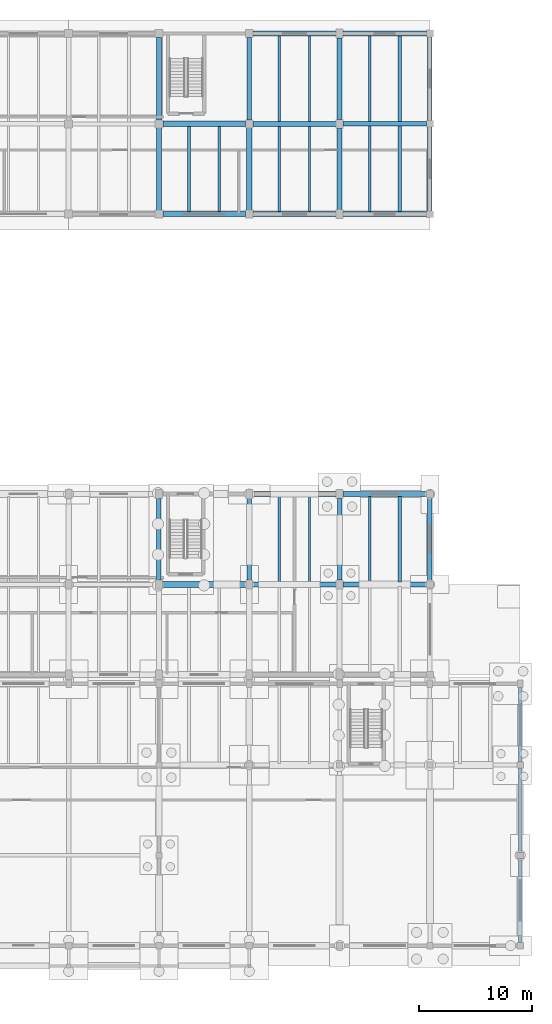
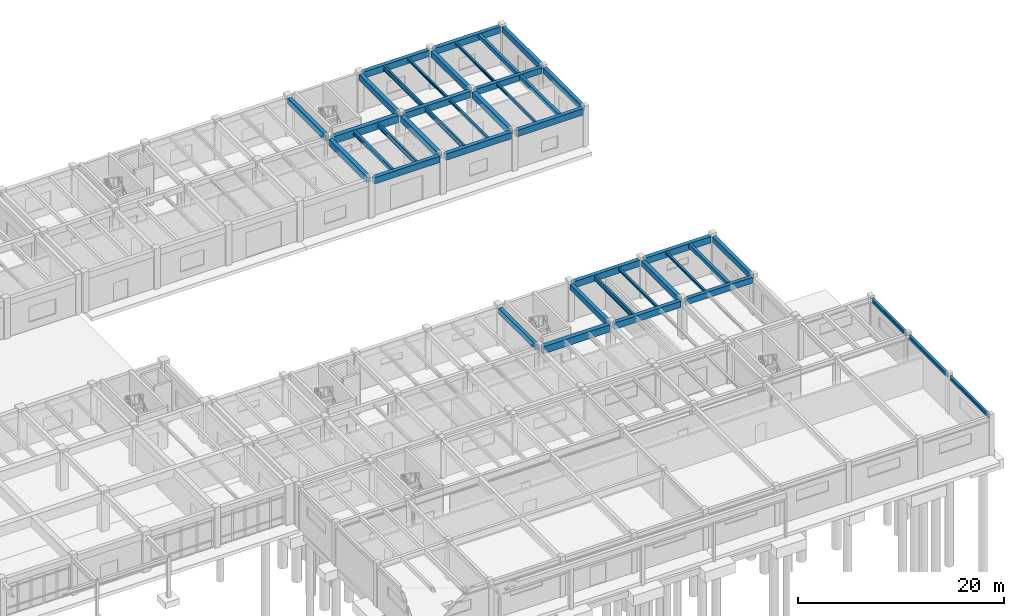
# One storey, part 26 of 64: 42 beams.
"""IFC4 building model written with IfcOpenShell, lengths in metres."""

from ifc_helpers import new_model, si_unit, direction, frame, origin, origin_2d, place, context, subcontext, project, spatial, rectangle, i_section, extrude, material, material_profile, profile_set, type_object, element, save


model = new_model("IFC4")

# Units and contexts
model_context = context("Model", 3, precision=1e-05, world=origin(), true_north=direction((0.0, 1.0)))
body_context = subcontext(model_context, "Body", "Model", "MODEL_VIEW")
ifc_project = project(units=[si_unit("LENGTHUNIT", "METRE"), si_unit("AREAUNIT", "SQUARE_METRE"), si_unit("VOLUMEUNIT", "CUBIC_METRE"), si_unit("PLANEANGLEUNIT", "RADIAN"), si_unit("MASSUNIT", "GRAM", prefix="KILO")], contexts=[model_context])

# Site, building, storey
site_placement = place(None, origin())
site = spatial("IfcSite", under=ifc_project, at=site_placement, CompositionType="ELEMENT")
building_placement = place(site_placement, origin())
building = spatial("IfcBuilding", under=site, at=building_placement, Name="Tlaxcora Railside Police Headquarters", CompositionType="ELEMENT")
storey_placement = place(building_placement, origin())
storey = spatial("IfcBuildingStorey", under=building, at=storey_placement, Name="L00", CompositionType="ELEMENT", Elevation=0.0)

# Beams
ifc_material_1 = material(Name="Steel ASTM A992 Grade 50", Category="steel")
ifc_material_profile_1 = material_profile(ifc_material_1, i_section(OverallWidth=0.280029296875, OverallDepth=0.4619140625, WebThickness=0.0107421875, FlangeThickness=0.017333984375, at=origin_2d()), Name="W18X76")
ifc_profile_set_1 = profile_set([ifc_material_profile_1], Name="Steel ASTM A992 Grade 50")
beam_type_1 = type_object("IfcBeamType", Name="Perimeter Spandrel Beam BM-33", PredefinedType="SPANDREL", material=ifc_profile_set_1)
for number, where, z_axis, x_axis, name in (
    (1, (166.800048828125, 12.264892578125, 4.299072265625), (0.0, 1.0, 0.0), (-1.0, 0.0, 0.0), "V3 L00 Y-girder X=166.8"),
    (2, (166.800048828125, 20.264892578125, 4.299072265625), (0.0, 1.0, 0.0), (-1.0, 0.0, 0.0), "V3 L00 Y-girder X=166.8"),
):
    element("IfcBeam", number, at=place(storey_placement, frame(where, z_axis=z_axis, x_axis=x_axis)), inside=storey, type_object=beam_type_1, Name=name, PredefinedType="SPANDREL", context=body_context, shape_type="SweptSolid", body=[
        extrude(i_section(OverallWidth=0.280029296875, OverallDepth=0.4619140625, WebThickness=0.0107421875, FlangeThickness=0.017333984375, at=origin_2d()), origin(), (0.0, 0.0, 1.0), 7.47021484375),
    ])
beam_1_placement = place(storey_placement, frame((166.800048828125, 28.264892578125, 4.299072265625), z_axis=(0.0, 1.0, 0.0), x_axis=(-1.0, 0.0, 0.0)))
element("IfcBeam", 3, at=beam_1_placement, inside=storey, type_object=beam_type_1, Name="V3 L00 Y-girder X=166.8", PredefinedType="SPANDREL", context=body_context, shape_type="SweptSolid", body=[
    extrude(i_section(OverallWidth=0.280029296875, OverallDepth=0.4619140625, WebThickness=0.0107421875, FlangeThickness=0.017333984375, at=origin_2d()), origin(), (0.0, 0.0, 1.0), 6.6201171875),
])
ifc_material_2 = material(Name="Concrete C40/50", Category="concrete")
ifc_material_profile_2 = material_profile(ifc_material_2, rectangle(XDim=0.39990234375, YDim=0.64990234375, at=origin_2d()), Name="RC400X650")
ifc_profile_set_2 = profile_set([ifc_material_profile_2], Name="Concrete C40/50")
beam_type_2 = type_object("IfcBeamType", Name="Perimeter Spandrel Beam BM-46", PredefinedType="SPANDREL", material=ifc_profile_set_2)
for number, where, z_axis, x_axis, name in (
    (4, (158.800048828125, 77.090087890625, 4.205078125), (0.0, 1.0, 0.0), (-1.0, 0.0, 0.0), "V6 L00 Y-girder X=158.8"),
    (5, (158.800048828125, 85.090087890625, 4.205078125), (0.0, 1.0, 0.0), (-1.0, 0.0, 0.0), "V6 L00 Y-girder X=158.8"),
    (6, (158.800048828125, 44.2900390625, 4.135009765625), (0.0, 1.0, 0.0), (-1.0, 0.0, 0.0), "V7 L00 Y-girder X=158.8"),
):
    element("IfcBeam", number, at=place(storey_placement, frame(where, z_axis=z_axis, x_axis=x_axis)), inside=storey, type_object=beam_type_2, Name=name, PredefinedType="SPANDREL", context=body_context, shape_type="SweptSolid", body=[
        extrude(rectangle(XDim=0.39990234375, YDim=0.64990234375, at=origin_2d()), origin(), (0.0, 0.0, 1.0), 7.419921875),
    ])
ifc_material_profile_3 = material_profile(ifc_material_2, rectangle(XDim=0.449951171875, YDim=0.75, at=origin_2d()), Name="RC450X750")
ifc_profile_set_3 = profile_set([ifc_material_profile_3], Name="Concrete C40/50")
beam_type_3 = type_object("IfcBeamType", Name="Perimeter Spandrel Beam BM-86", PredefinedType="SPANDREL", material=ifc_profile_set_3)
beam_2_placement = place(storey_placement, frame((135.139892578125, 76.800048828125, 4.155029296875), z_axis=(1.0, 0.0, 0.0), x_axis=(0.0, 1.0, 0.0)))
element("IfcBeam", 7, at=beam_2_placement, inside=storey, type_object=beam_type_3, Name="V6 L00 X-girder Y=76.8", PredefinedType="SPANDREL", context=body_context, shape_type="SweptSolid", body=[
    extrude(rectangle(XDim=0.449951171875, YDim=0.75, at=origin_2d()), origin(), (0.0, 0.0, 1.0), 7.320068359375),
])
beam_3_placement = place(storey_placement, frame((143.139892578125, 76.800048828125, 4.155029296875), z_axis=(1.0, 0.0, 0.0), x_axis=(0.0, 1.0, 0.0)))
element("IfcBeam", 8, at=beam_3_placement, inside=storey, type_object=beam_type_3, Name="V6 L00 X-girder Y=76.8", PredefinedType="SPANDREL", context=body_context, shape_type="SweptSolid", body=[
    extrude(rectangle(XDim=0.449951171875, YDim=0.75, at=origin_2d()), origin(), (0.0, 0.0, 1.0), 7.3701171875),
])
beam_4_placement = place(storey_placement, frame((151.090087890625, 76.800048828125, 4.155029296875), z_axis=(1.0, 0.0, 0.0), x_axis=(0.0, 1.0, 0.0)))
element("IfcBeam", 9, at=beam_4_placement, inside=storey, type_object=beam_type_3, Name="V6 L00 X-girder Y=76.8", PredefinedType="SPANDREL", context=body_context, shape_type="SweptSolid", body=[
    extrude(rectangle(XDim=0.449951171875, YDim=0.75, at=origin_2d()), origin(), (0.0, 0.0, 1.0), 7.419921875),
])
beam_5_placement = place(storey_placement, frame((143.139892578125, 92.800048828125, 4.155029296875), z_axis=(1.0, 0.0, 0.0), x_axis=(0.0, 1.0, 0.0)))
element("IfcBeam", 10, at=beam_5_placement, inside=storey, type_object=beam_type_3, Name="V6 L00 X-girder Y=92.8", PredefinedType="SPANDREL", context=body_context, shape_type="SweptSolid", body=[
    extrude(rectangle(XDim=0.449951171875, YDim=0.75, at=origin_2d()), origin(), (0.0, 0.0, 1.0), 7.3701171875),
])
for number, where, z_axis, x_axis, name in (
    (11, (151.090087890625, 92.800048828125, 4.155029296875), (1.0, 0.0, 0.0), (0.0, 1.0, 0.0), "V6 L00 X-girder Y=92.8"),
    (12, (143.090087890625, 52.0, 4.0849609375), (1.0, 0.0, 0.0), (0.0, 1.0, 0.0), "V7 L00 X-girder Y=52.0"),
    (13, (151.090087890625, 52.0, 4.0849609375), (1.0, 0.0, 0.0), (0.0, 1.0, 0.0), "V7 L00 X-girder Y=52.0"),
):
    element("IfcBeam", number, at=place(storey_placement, frame(where, z_axis=z_axis, x_axis=x_axis)), inside=storey, type_object=beam_type_3, Name=name, PredefinedType="SPANDREL", context=body_context, shape_type="SweptSolid", body=[
        extrude(rectangle(XDim=0.449951171875, YDim=0.75, at=origin_2d()), origin(), (0.0, 0.0, 1.0), 7.419921875),
    ])
ifc_material_profile_4 = material_profile(ifc_material_2, rectangle(XDim=0.419921875, YDim=0.699951171875, at=origin_2d()), Name="RC420X700")
ifc_profile_set_4 = profile_set([ifc_material_profile_4], Name="Concrete C40/50")
beam_type_4 = type_object("IfcBeamType", Name="Primary Frame Girder BM-35", PredefinedType="BEAM", material=ifc_profile_set_4)
beam_6_placement = place(storey_placement, frame((151.090087890625, 84.800048828125, 4.179931640625), z_axis=(1.0, 0.0, 0.0), x_axis=(0.0, 1.0, 0.0)))
element("IfcBeam", 14, at=beam_6_placement, inside=storey, type_object=beam_type_4, Name="V6 L00 X-girder Y=84.8", PredefinedType="BEAM", context=body_context, shape_type="SweptSolid", body=[
    extrude(rectangle(XDim=0.419921875, YDim=0.699951171875, at=origin_2d()), origin(), (0.0, 0.0, 1.0), 7.419921875),
])
for number, where, z_axis, x_axis, name in (
    (15, (134.800048828125, 85.139892578125, 4.179931640625), (0.0, 1.0, 0.0), (-1.0, 0.0, 0.0), "V6 L00 Y-girder X=134.8"),
    (16, (142.800048828125, 85.139892578125, 4.179931640625), (0.0, 1.0, 0.0), (-1.0, 0.0, 0.0), "V6 L00 Y-girder X=142.8"),
):
    element("IfcBeam", number, at=place(storey_placement, frame(where, z_axis=z_axis, x_axis=x_axis)), inside=storey, type_object=beam_type_4, Name=name, PredefinedType="BEAM", context=body_context, shape_type="SweptSolid", body=[
        extrude(rectangle(XDim=0.419921875, YDim=0.699951171875, at=origin_2d()), origin(), (0.0, 0.0, 1.0), 7.320068359375),
    ])
beam_7_placement = place(storey_placement, frame((150.800048828125, 85.18994140625, 4.179931640625), z_axis=(0.0, 1.0, 0.0), x_axis=(-1.0, 0.0, 0.0)))
element("IfcBeam", 17, at=beam_7_placement, inside=storey, type_object=beam_type_4, Name="V6 L00 Y-girder X=150.8", PredefinedType="BEAM", context=body_context, shape_type="SweptSolid", body=[
    extrude(rectangle(XDim=0.419921875, YDim=0.699951171875, at=origin_2d()), origin(), (0.0, 0.0, 1.0), 7.219970703125),
])
beam_8_placement = place(storey_placement, frame((151.090087890625, 44.0, 4.110107421875), z_axis=(1.0, 0.0, 0.0), x_axis=(0.0, 1.0, 0.0)))
element("IfcBeam", 18, at=beam_8_placement, inside=storey, type_object=beam_type_4, Name="V7 L00 X-girder Y=44.0", PredefinedType="BEAM", context=body_context, shape_type="SweptSolid", body=[
    extrude(rectangle(XDim=0.419921875, YDim=0.699951171875, at=origin_2d()), origin(), (0.0, 0.0, 1.0), 7.419921875),
])
ifc_material_profile_5 = material_profile(ifc_material_2, rectangle(XDim=0.39990234375, YDim=0.64990234375, at=origin_2d()), Name="RC400X650")
ifc_profile_set_5 = profile_set([ifc_material_profile_5], Name="Concrete C40/50")
beam_type_5 = type_object("IfcBeamType", Name="Primary Frame Girder BM-41", PredefinedType="BEAM", material=ifc_profile_set_5)
for number, where, z_axis, x_axis, name in (
    (19, (134.800048828125, 44.389892578125, 4.135009765625), (0.0, 1.0, 0.0), (-1.0, 0.0, 0.0), "V7 L00 Y-girder X=134.8"),
    (20, (142.800048828125, 44.389892578125, 4.135009765625), (0.0, 1.0, 0.0), (-1.0, 0.0, 0.0), "V7 L00 Y-girder X=142.8"),
    (21, (150.800048828125, 44.389892578125, 4.135009765625), (0.0, 1.0, 0.0), (-1.0, 0.0, 0.0), "V7 L00 Y-girder X=150.8"),
):
    element("IfcBeam", number, at=place(storey_placement, frame(where, z_axis=z_axis, x_axis=x_axis)), inside=storey, type_object=beam_type_5, Name=name, PredefinedType="BEAM", context=body_context, shape_type="SweptSolid", body=[
        extrude(rectangle(XDim=0.39990234375, YDim=0.64990234375, at=origin_2d()), origin(), (0.0, 0.0, 1.0), 7.22021484375),
    ])
ifc_material_profile_6 = material_profile(ifc_material_2, rectangle(XDim=0.5, YDim=0.85009765625, at=origin_2d()), Name="RC500X850")
ifc_profile_set_6 = profile_set([ifc_material_profile_6], Name="Concrete C40/50")
beam_type_6 = type_object("IfcBeamType", Name="Primary Frame Girder BM-64", PredefinedType="BEAM", material=ifc_profile_set_6)
beam_9_placement = place(storey_placement, frame((135.139892578125, 84.800048828125, 4.10498046875), z_axis=(1.0, 0.0, 0.0), x_axis=(0.0, 1.0, 0.0)))
element("IfcBeam", 22, at=beam_9_placement, inside=storey, type_object=beam_type_6, Name="V6 L00 X-girder Y=84.8", PredefinedType="BEAM", context=body_context, shape_type="SweptSolid", body=[
    extrude(rectangle(XDim=0.5, YDim=0.85009765625, at=origin_2d()), origin(), (0.0, 0.0, 1.0), 7.320068359375),
])
beam_10_placement = place(storey_placement, frame((135.090087890625, 44.0, 4.034912109375), z_axis=(1.0, 0.0, 0.0), x_axis=(0.0, 1.0, 0.0)))
element("IfcBeam", 23, at=beam_10_placement, inside=storey, type_object=beam_type_6, Name="V7 L00 X-girder Y=44.0", PredefinedType="BEAM", context=body_context, shape_type="SweptSolid", body=[
    extrude(rectangle(XDim=0.5, YDim=0.85009765625, at=origin_2d()), origin(), (0.0, 0.0, 1.0), 7.419921875),
])
ifc_material_profile_7 = material_profile(ifc_material_2, rectangle(XDim=0.449951171875, YDim=0.75, at=origin_2d()), Name="RC450X750")
ifc_profile_set_7 = profile_set([ifc_material_profile_7], Name="Concrete C40/50")
beam_type_7 = type_object("IfcBeamType", Name="Primary Frame Girder BM-73", PredefinedType="BEAM", material=ifc_profile_set_7)
beam_11_placement = place(storey_placement, frame((143.139892578125, 84.800048828125, 4.155029296875), z_axis=(1.0, 0.0, 0.0), x_axis=(0.0, 1.0, 0.0)))
element("IfcBeam", 24, at=beam_11_placement, inside=storey, type_object=beam_type_7, Name="V6 L00 X-girder Y=84.8", PredefinedType="BEAM", context=body_context, shape_type="SweptSolid", body=[
    extrude(rectangle(XDim=0.449951171875, YDim=0.75, at=origin_2d()), origin(), (0.0, 0.0, 1.0), 7.3701171875),
])
for number, where, z_axis, x_axis, name in (
    (25, (134.800048828125, 77.139892578125, 4.155029296875), (0.0, 1.0, 0.0), (-1.0, 0.0, 0.0), "V6 L00 Y-girder X=134.8"),
    (26, (142.800048828125, 77.139892578125, 4.155029296875), (0.0, 1.0, 0.0), (-1.0, 0.0, 0.0), "V6 L00 Y-girder X=142.8"),
):
    element("IfcBeam", number, at=place(storey_placement, frame(where, z_axis=z_axis, x_axis=x_axis)), inside=storey, type_object=beam_type_7, Name=name, PredefinedType="BEAM", context=body_context, shape_type="SweptSolid", body=[
        extrude(rectangle(XDim=0.449951171875, YDim=0.75, at=origin_2d()), origin(), (0.0, 0.0, 1.0), 7.320068359375),
    ])
beam_12_placement = place(storey_placement, frame((150.800048828125, 77.18994140625, 4.155029296875), z_axis=(0.0, 1.0, 0.0), x_axis=(-1.0, 0.0, 0.0)))
element("IfcBeam", 27, at=beam_12_placement, inside=storey, type_object=beam_type_7, Name="V6 L00 Y-girder X=150.8", PredefinedType="BEAM", context=body_context, shape_type="SweptSolid", body=[
    extrude(rectangle(XDim=0.449951171875, YDim=0.75, at=origin_2d()), origin(), (0.0, 0.0, 1.0), 7.219970703125),
])
beam_13_placement = place(storey_placement, frame((143.090087890625, 44.0, 4.0849609375), z_axis=(1.0, 0.0, 0.0), x_axis=(0.0, 1.0, 0.0)))
element("IfcBeam", 28, at=beam_13_placement, inside=storey, type_object=beam_type_7, Name="V7 L00 X-girder Y=44.0", PredefinedType="BEAM", context=body_context, shape_type="SweptSolid", body=[
    extrude(rectangle(XDim=0.449951171875, YDim=0.75, at=origin_2d()), origin(), (0.0, 0.0, 1.0), 7.419921875),
])
ifc_material_3 = material(Name="Concrete C35/45", Category="concrete")
ifc_material_profile_8 = material_profile(ifc_material_3, rectangle(XDim=0.300048828125, YDim=0.449951171875, at=origin_2d()), Name="RC300X450")
ifc_profile_set_8 = profile_set([ifc_material_profile_8], Name="Concrete C35/45")
beam_type_8 = type_object("IfcBeamType", Name="Secondary Floor Joist BM-27", PredefinedType="JOIST", material=ifc_profile_set_8)
beam_14_placement = place(storey_placement, frame((156.13330078125, 77.01708984375, 4.304931640625), z_axis=(0.0, 1.0, 0.0), x_axis=(-1.0, 0.0, 0.0)))
element("IfcBeam", 29, at=beam_14_placement, inside=storey, type_object=beam_type_8, Name="V6 L00 floor joist X=156.13", PredefinedType="JOIST", context=body_context, shape_type="SweptSolid", body=[
    extrude(rectangle(XDim=0.300048828125, YDim=0.449951171875, at=origin_2d()), origin(), (0.0, 0.0, 1.0), 7.580810546875),
])
for number, where, z_axis, x_axis, name in (
    (30, (156.13330078125, 85.001953125, 4.304931640625), (0.0, 1.0, 0.0), (-1.0, 0.0, 0.0), "V6 L00 floor joist X=156.13"),
    (31, (156.13330078125, 44.201904296875, 4.235107421875), (0.0, 1.0, 0.0), (-1.0, 0.0, 0.0), "V7 L00 floor joist X=156.13"),
):
    element("IfcBeam", number, at=place(storey_placement, frame(where, z_axis=z_axis, x_axis=x_axis)), inside=storey, type_object=beam_type_8, Name=name, PredefinedType="JOIST", context=body_context, shape_type="SweptSolid", body=[
        extrude(rectangle(XDim=0.300048828125, YDim=0.449951171875, at=origin_2d()), origin(), (0.0, 0.0, 1.0), 7.5810546875),
    ])
ifc_material_profile_9 = material_profile(ifc_material_1, i_section(OverallWidth=0.280029296875, OverallDepth=0.4619140625, WebThickness=0.0107421875, FlangeThickness=0.017333984375, at=origin_2d()), Name="W18X76")
ifc_profile_set_9 = profile_set([ifc_material_profile_9], Name="Steel ASTM A992 Grade 50")
beam_type_9 = type_object("IfcBeamType", Name="Secondary Floor Joist BM-44", PredefinedType="JOIST", material=ifc_profile_set_9)
beam_15_placement = place(storey_placement, frame((137.466796875, 77.01708984375, 4.299072265625), z_axis=(0.0, 1.0, 0.0), x_axis=(-1.0, 0.0, 0.0)))
element("IfcBeam", 32, at=beam_15_placement, inside=storey, type_object=beam_type_9, Name="V6 L00 floor joist X=137.47", PredefinedType="JOIST", context=body_context, shape_type="SweptSolid", body=[
    extrude(i_section(OverallWidth=0.280029296875, OverallDepth=0.4619140625, WebThickness=0.0107421875, FlangeThickness=0.017333984375, at=origin_2d()), origin(), (0.0, 0.0, 1.0), 7.541015625),
])
ifc_material_profile_10 = material_profile(ifc_material_1, i_section(OverallWidth=0.202880859375, OverallDepth=0.302978515625, WebThickness=0.007568359375, FlangeThickness=0.01318359375, at=origin_2d()), Name="W12X40")
ifc_profile_set_10 = profile_set([ifc_material_profile_10], Name="Steel ASTM A992 Grade 50")
beam_type_10 = type_object("IfcBeamType", Name="Secondary Floor Joist BM-96", PredefinedType="JOIST", material=ifc_profile_set_10)
beam_16_placement = place(storey_placement, frame((148.13330078125, 77.01708984375, 4.37841796875), z_axis=(0.0, 1.0, 0.0), x_axis=(-1.0, 0.0, 0.0)))
element("IfcBeam", 33, at=beam_16_placement, inside=storey, type_object=beam_type_10, Name="V6 L00 floor joist X=148.13", PredefinedType="JOIST", context=body_context, shape_type="SweptSolid", body=[
    extrude(i_section(OverallWidth=0.202880859375, OverallDepth=0.302978515625, WebThickness=0.007568359375, FlangeThickness=0.01318359375, at=origin_2d()), origin(), (0.0, 0.0, 1.0), 7.56591796875),
])
beam_17_placement = place(storey_placement, frame((153.466796875, 77.01708984375, 4.37841796875), z_axis=(0.0, 1.0, 0.0), x_axis=(-1.0, 0.0, 0.0)))
element("IfcBeam", 34, at=beam_17_placement, inside=storey, type_object=beam_type_10, Name="V6 L00 floor joist X=153.47", PredefinedType="JOIST", context=body_context, shape_type="SweptSolid", body=[
    extrude(i_section(OverallWidth=0.202880859375, OverallDepth=0.302978515625, WebThickness=0.007568359375, FlangeThickness=0.01318359375, at=origin_2d()), origin(), (0.0, 0.0, 1.0), 7.580810546875),
])
beam_18_placement = place(storey_placement, frame((148.13330078125, 85.01708984375, 4.37841796875), z_axis=(0.0, 1.0, 0.0), x_axis=(-1.0, 0.0, 0.0)))
element("IfcBeam", 35, at=beam_18_placement, inside=storey, type_object=beam_type_10, Name="V6 L00 floor joist X=148.13", PredefinedType="JOIST", context=body_context, shape_type="SweptSolid", body=[
    extrude(i_section(OverallWidth=0.202880859375, OverallDepth=0.302978515625, WebThickness=0.007568359375, FlangeThickness=0.01318359375, at=origin_2d()), origin(), (0.0, 0.0, 1.0), 7.56591796875),
])
beam_19_placement = place(storey_placement, frame((153.466796875, 85.001953125, 4.37841796875), z_axis=(0.0, 1.0, 0.0), x_axis=(-1.0, 0.0, 0.0)))
element("IfcBeam", 36, at=beam_19_placement, inside=storey, type_object=beam_type_10, Name="V6 L00 floor joist X=153.47", PredefinedType="JOIST", context=body_context, shape_type="SweptSolid", body=[
    extrude(i_section(OverallWidth=0.202880859375, OverallDepth=0.302978515625, WebThickness=0.007568359375, FlangeThickness=0.01318359375, at=origin_2d()), origin(), (0.0, 0.0, 1.0), 7.5810546875),
])
beam_20_placement = place(storey_placement, frame((148.13330078125, 44.217041015625, 4.30859375), z_axis=(0.0, 1.0, 0.0), x_axis=(-1.0, 0.0, 0.0)))
element("IfcBeam", 37, at=beam_20_placement, inside=storey, type_object=beam_type_10, Name="V7 L00 floor joist X=148.13", PredefinedType="JOIST", context=body_context, shape_type="SweptSolid", body=[
    extrude(i_section(OverallWidth=0.202880859375, OverallDepth=0.302978515625, WebThickness=0.007568359375, FlangeThickness=0.01318359375, at=origin_2d()), origin(), (0.0, 0.0, 1.0), 7.56591796875),
])
beam_21_placement = place(storey_placement, frame((153.466796875, 44.201904296875, 4.30859375), z_axis=(0.0, 1.0, 0.0), x_axis=(-1.0, 0.0, 0.0)))
element("IfcBeam", 38, at=beam_21_placement, inside=storey, type_object=beam_type_10, Name="V7 L00 floor joist X=153.47", PredefinedType="JOIST", context=body_context, shape_type="SweptSolid", body=[
    extrude(i_section(OverallWidth=0.202880859375, OverallDepth=0.302978515625, WebThickness=0.007568359375, FlangeThickness=0.01318359375, at=origin_2d()), origin(), (0.0, 0.0, 1.0), 7.5810546875),
])
ifc_material_profile_11 = material_profile(ifc_material_1, i_section(OverallWidth=0.214111328125, OverallDepth=0.549072265625, WebThickness=0.0146484375, FlangeThickness=0.023681640625, at=origin_2d()), Name="W21X93")
ifc_profile_set_11 = profile_set([ifc_material_profile_11], Name="Steel ASTM A992 Grade 50")
beam_type_11 = type_object("IfcBeamType", Name="Secondary Floor Joist BM-97", PredefinedType="JOIST", material=ifc_profile_set_11)
beam_22_placement = place(storey_placement, frame((140.13330078125, 77.01708984375, 4.255615234375), z_axis=(0.0, 1.0, 0.0), x_axis=(-1.0, 0.0, 0.0)))
element("IfcBeam", 39, at=beam_22_placement, inside=storey, type_object=beam_type_11, Name="V6 L00 floor joist X=140.13", PredefinedType="JOIST", context=body_context, shape_type="SweptSolid", body=[
    extrude(i_section(OverallWidth=0.214111328125, OverallDepth=0.549072265625, WebThickness=0.0146484375, FlangeThickness=0.023681640625, at=origin_2d()), origin(), (0.0, 0.0, 1.0), 7.541015625),
])
for number, where, z_axis, x_axis, name in (
    (40, (145.466796875, 77.01708984375, 4.255615234375), (0.0, 1.0, 0.0), (-1.0, 0.0, 0.0), "V6 L00 floor joist X=145.47"),
    (41, (145.466796875, 85.01708984375, 4.255615234375), (0.0, 1.0, 0.0), (-1.0, 0.0, 0.0), "V6 L00 floor joist X=145.47"),
    (42, (145.466796875, 44.217041015625, 4.185546875), (0.0, 1.0, 0.0), (-1.0, 0.0, 0.0), "V7 L00 floor joist X=145.47"),
):
    element("IfcBeam", number, at=place(storey_placement, frame(where, z_axis=z_axis, x_axis=x_axis)), inside=storey, type_object=beam_type_11, Name=name, PredefinedType="JOIST", context=body_context, shape_type="SweptSolid", body=[
        extrude(i_section(OverallWidth=0.214111328125, OverallDepth=0.549072265625, WebThickness=0.0146484375, FlangeThickness=0.023681640625, at=origin_2d()), origin(), (0.0, 0.0, 1.0), 7.56591796875),
    ])

save(model, "model.ifc")
